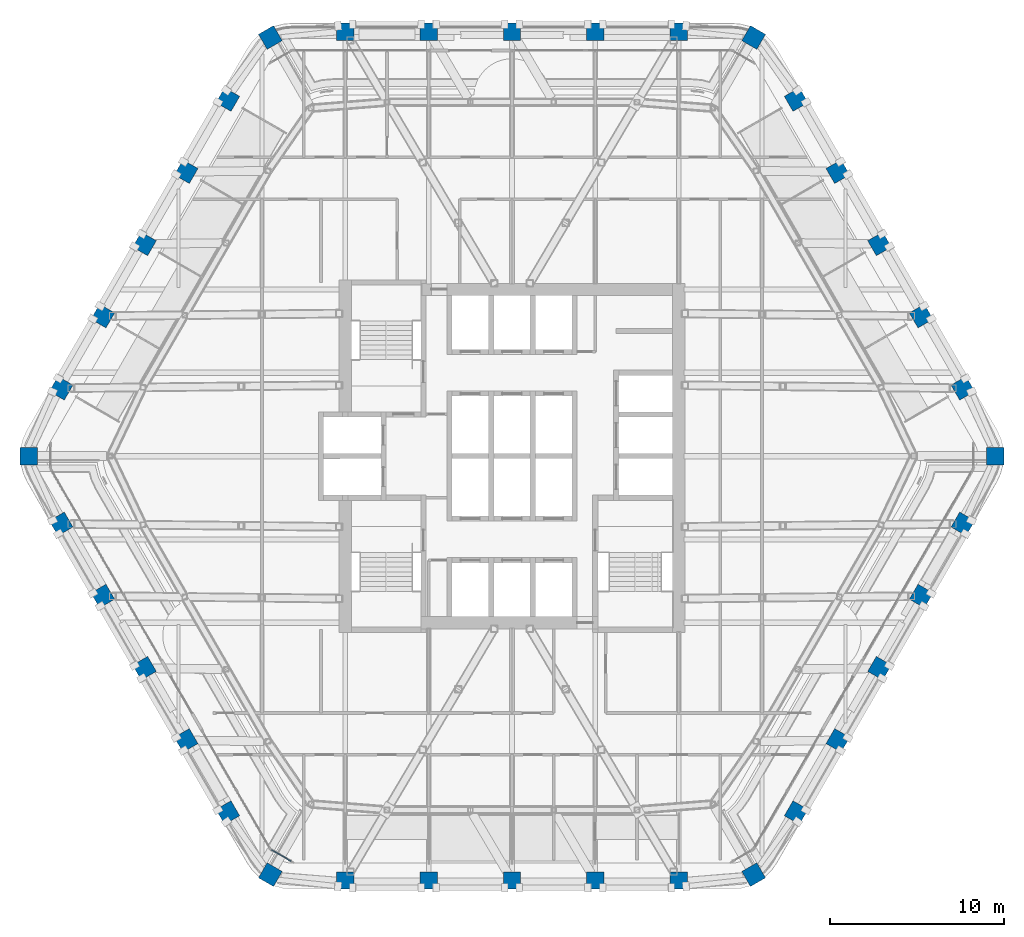
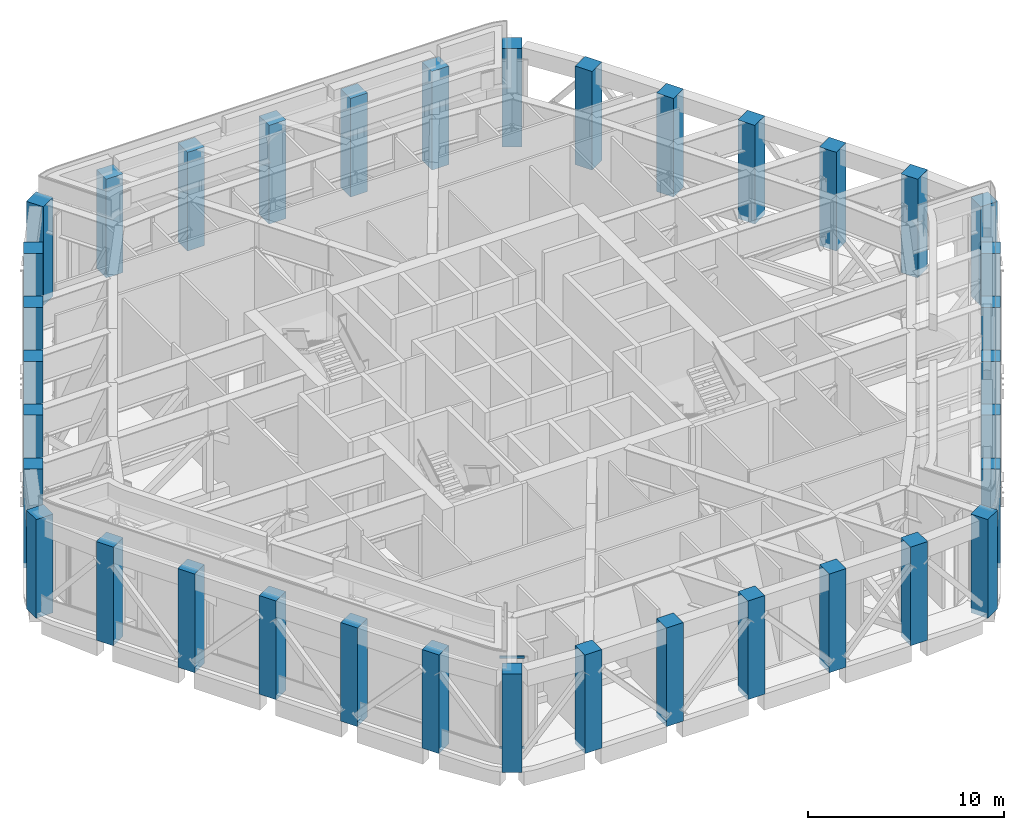
# One storey, part 1 of 24: 36 columns, 2 members, 1 element without a shape of its own.
"""IFC4 building model written with IfcOpenShell, lengths in metres."""

from ifc_helpers import new_model, si_unit, direction, frame, origin, origin_2d, place, context, subcontext, project, spatial, rectangle, extrude, material, material_profile, profile_set, type_object, element, aggregate, save


model = new_model("IFC4")

# Units and contexts
model_context = context("Model", 3, precision=1e-05, world=origin(), true_north=direction((0.0, 1.0)))
body_context = subcontext(model_context, "Body", "Model", "MODEL_VIEW")
ifc_project = project(units=[si_unit("LENGTHUNIT", "METRE"), si_unit("AREAUNIT", "SQUARE_METRE"), si_unit("VOLUMEUNIT", "CUBIC_METRE"), si_unit("PLANEANGLEUNIT", "RADIAN"), si_unit("MASSUNIT", "GRAM", prefix="KILO")], contexts=[model_context])

# Site, building, storey
site_placement = place(None, origin())
site = spatial("IfcSite", under=ifc_project, at=site_placement, CompositionType="ELEMENT")
building_placement = place(site_placement, origin())
building = spatial("IfcBuilding", under=site, at=building_placement, Name="Kolab Exchange Tower", CompositionType="ELEMENT")
storey_placement = place(building_placement, frame((0.0, 0.0, 216.800048828125)))
storey = spatial("IfcBuildingStorey", under=building, at=storey_placement, Name="L47", CompositionType="ELEMENT", Elevation=216.800048828125)

# Columns
ifc_material_1 = material(Name="Concrete C60/75", Category="concrete")
ifc_material_profile_1 = material_profile(ifc_material_1, rectangle(XDim=1.0, YDim=1.0, at=origin_2d()), Name="RC1000")
ifc_profile_set_1 = profile_set([ifc_material_profile_1], Name="Concrete C60/75")
column_type = type_object("IfcColumnType", Name="PERIMETER COLUMN 1000 SQ C60/75", PredefinedType="COLUMN", material=ifc_profile_set_1)
for number, where, z_axis, x_axis, name in (
    (1, (-13.91796875, 24.106689453125, -0.300048828125), (0.0, 0.0, 1.0), (0.866025403784, 0.5, 0.0), "col/L47/F1-01"),
    (2, (-9.60009765625, 24.441650390625, -0.300048828125), (0.0, 0.0, 1.0), (1.0, 0.0, 0.0), "col/L47/F1-02"),
    (3, (-4.800048828125, 24.441650390625, -0.300048828125), (0.0, 0.0, 1.0), (1.0, 0.0, 0.0), "col/L47/F1-03"),
    (4, (0.0, 24.441650390625, -0.300048828125), (0.0, 0.0, 1.0), (1.0, 0.0, 0.0), "col/L47/F1-04"),
    (5, (4.800048828125, 24.441650390625, -0.300048828125), (0.0, 0.0, 1.0), (1.0, 0.0, 0.0), "col/L47/F1-05"),
    (6, (9.60009765625, 24.441650390625, -0.300048828125), (0.0, 0.0, 1.0), (1.0, 0.0, 0.0), "col/L47/F1-06"),
    (7, (13.91796875, 24.106689453125, -0.300048828125), (0.0, 0.0, 1.0), (0.5, 0.866025403784, 0.0), "col/L47/F2-01"),
    (8, (16.366943359375, 20.53466796875, -0.300048828125), (0.0, 0.0, 1.0), (0.866025403784, 0.5, 0.0), "col/L47/F2-02"),
    (9, (18.76708984375, 16.377685546875, -0.300048828125), (0.0, 0.0, 1.0), (0.866025403784, 0.5, 0.0), "col/L47/F2-03"),
    (10, (21.1669921875, 12.220703125, -0.300048828125), (0.0, 0.0, 1.0), (0.866025403784, 0.5, 0.0), "col/L47/F2-04"),
    (11, (23.56689453125, 8.06396484375, -0.300048828125), (0.0, 0.0, 1.0), (0.866025403784, 0.5, 0.0), "col/L47/F2-05"),
    (12, (25.967041015625, 3.906982421875, -0.300048828125), (0.0, 0.0, 1.0), (0.866025403784, 0.5, 0.0), "col/L47/F2-06"),
    (13, (27.8359375, 0.0, -0.300048828125), (0.0, 0.0, 1.0), (1.0, 0.0, 0.0), "col/L47/F3-01"),
    (14, (25.967041015625, -3.906982421875, -0.300048828125), (0.0, 0.0, 1.0), (0.5, 0.866025403784, 0.0), "col/L47/F3-02"),
    (15, (23.56689453125, -8.06396484375, -0.300048828125), (0.0, 0.0, 1.0), (0.5, 0.866025403784, 0.0), "col/L47/F3-03"),
    (16, (21.1669921875, -12.220703125, -0.300048828125), (0.0, 0.0, 1.0), (0.5, 0.866025403784, 0.0), "col/L47/F3-04"),
    (17, (18.76708984375, -16.377685546875, -0.300048828125), (0.0, 0.0, 1.0), (0.5, 0.866025403784, 0.0), "col/L47/F3-05"),
    (18, (16.366943359375, -20.53466796875, -0.300048828125), (0.0, 0.0, 1.0), (0.5, 0.866025403784, 0.0), "col/L47/F3-06"),
    (19, (13.91796875, -24.106689453125, -0.300048828125), (0.0, 0.0, 1.0), (0.866025403784, 0.5, 0.0), "col/L47/F4-01"),
    (20, (9.60009765625, -24.441650390625, -0.300048828125), (0.0, 0.0, 1.0), (1.0, 0.0, 0.0), "col/L47/F4-02"),
    (21, (4.800048828125, -24.441650390625, -0.300048828125), (0.0, 0.0, 1.0), (1.0, 0.0, 0.0), "col/L47/F4-03"),
    (22, (0.0, -24.441650390625, -0.300048828125), (0.0, 0.0, 1.0), (1.0, 0.0, 0.0), "col/L47/F4-04"),
    (23, (-4.800048828125, -24.441650390625, -0.300048828125), (0.0, 0.0, 1.0), (1.0, 0.0, 0.0), "col/L47/F4-05"),
    (24, (-9.60009765625, -24.441650390625, -0.300048828125), (0.0, 0.0, 1.0), (1.0, 0.0, 0.0), "col/L47/F4-06"),
    (25, (-13.91796875, -24.106689453125, -0.300048828125), (0.0, 0.0, 1.0), (0.5, 0.866025403784, 0.0), "col/L47/F5-01"),
    (26, (-16.366943359375, -20.53466796875, -0.300048828125), (0.0, 0.0, 1.0), (0.866025403784, 0.5, 0.0), "col/L47/F5-02"),
    (27, (-18.76708984375, -16.377685546875, -0.300048828125), (0.0, 0.0, 1.0), (0.866025403784, 0.5, 0.0), "col/L47/F5-03"),
    (28, (-21.1669921875, -12.220703125, -0.300048828125), (0.0, 0.0, 1.0), (0.866025403784, 0.5, 0.0), "col/L47/F5-04"),
    (29, (-23.56689453125, -8.06396484375, -0.300048828125), (0.0, 0.0, 1.0), (0.866025403784, 0.5, 0.0), "col/L47/F5-05"),
    (30, (-25.967041015625, -3.906982421875, -0.300048828125), (0.0, 0.0, 1.0), (0.866025403784, 0.5, 0.0), "col/L47/F5-06"),
    (31, (-27.8359375, 0.0, -0.300048828125), (0.0, 0.0, 1.0), (1.0, 0.0, 0.0), "col/L47/F6-01"),
    (32, (-25.967041015625, 3.906982421875, -0.300048828125), (0.0, 0.0, 1.0), (0.5, 0.866025403784, 0.0), "col/L47/F6-02"),
    (33, (-23.56689453125, 8.06396484375, -0.300048828125), (0.0, 0.0, 1.0), (0.5, 0.866025403784, 0.0), "col/L47/F6-03"),
    (34, (-21.1669921875, 12.220703125, -0.300048828125), (0.0, 0.0, 1.0), (0.5, 0.866025403784, 0.0), "col/L47/F6-04"),
    (35, (-18.76708984375, 16.377685546875, -0.300048828125), (0.0, 0.0, 1.0), (0.5, 0.866025403784, 0.0), "col/L47/F6-05"),
    (36, (-16.366943359375, 20.53466796875, -0.300048828125), (0.0, 0.0, 1.0), (0.5, 0.866025403784, 0.0), "col/L47/F6-06"),
):
    element("IfcColumn", number, at=place(storey_placement, frame(where, z_axis=z_axis, x_axis=x_axis)), inside=storey, type_object=column_type, Name=name, PredefinedType="COLUMN", context=body_context, shape_type="SweptSolid", body=[
        extrude(rectangle(XDim=1.0, YDim=1.0, at=origin_2d()), origin(), (0.0, 0.0, 1.0), 6.14990234375),
    ])

# Curtain wall, members
ifc_material_2 = material(Name="Aluminium EN AW-6063 T6", Category="aluminium")
curtain_wall_type = type_object("IfcCurtainWallType", Name="UNITISED UPPER MID ZONE DOUBLE HEIGHT BELT CURTAIN WALL", PredefinedType="NOTDEFINED", material=ifc_material_2)
curtain_wall_placement = place(storey_placement, origin())
curtain_wall = element("IfcCurtainWall", 37, at=curtain_wall_placement, inside=storey, type_object=curtain_wall_type, Name="cw/L47/F4F5-corner", PredefinedType="NOTDEFINED")
ifc_material_profile_2 = material_profile(ifc_material_2, rectangle(XDim=0.06005859375, YDim=0.139892578125, at=origin_2d()), Name="RECT 60X140")
ifc_profile_set_2 = profile_set([ifc_material_profile_2], Name="Aluminium EN AW-6063 T6")
member_type = type_object("IfcMemberType", Name="UNITISED UPPER MID ZONE DOUBLE HEIGHT BELT TRANSOM 60 X 140", PredefinedType="USERDEFINED", material=ifc_profile_set_2)
member_1_placement = place(storey_placement, frame((-12.719970703125, -23.33154296875, 0.030029296875), z_axis=(-0.86603858612, 0.49997716683, 0.0), x_axis=(-0.49997716683, -0.86603858612, 0.0)))
member_1 = element("IfcMember", 38, at=member_1_placement, type_object=member_type, Name="CW11 transom 1.1", ObjectType="TRANSOM", PredefinedType="USERDEFINED", context=body_context, shape_type="SweptSolid", body=[
    extrude(rectangle(XDim=0.06005859375, YDim=0.139892578125, at=origin_2d()), origin(), (0.0, 0.0, 1.0), 1.2998046875),
])
member_2_placement = place(storey_placement, frame((-12.719970703125, -23.33154296875, 5.669921875), z_axis=(-0.86603858612, 0.49997716683, 0.0), x_axis=(-0.49997716683, -0.86603858612, 0.0)))
member_2 = element("IfcMember", 39, at=member_2_placement, type_object=member_type, Name="CW11 transom 1.2", ObjectType="TRANSOM", PredefinedType="USERDEFINED", context=body_context, shape_type="SweptSolid", body=[
    extrude(rectangle(XDim=0.06005859375, YDim=0.139892578125, at=origin_2d()), origin(), (0.0, 0.0, 1.0), 1.2998046875),
])
aggregate(curtain_wall, [member_1, member_2])

save(model, "model.ifc")
